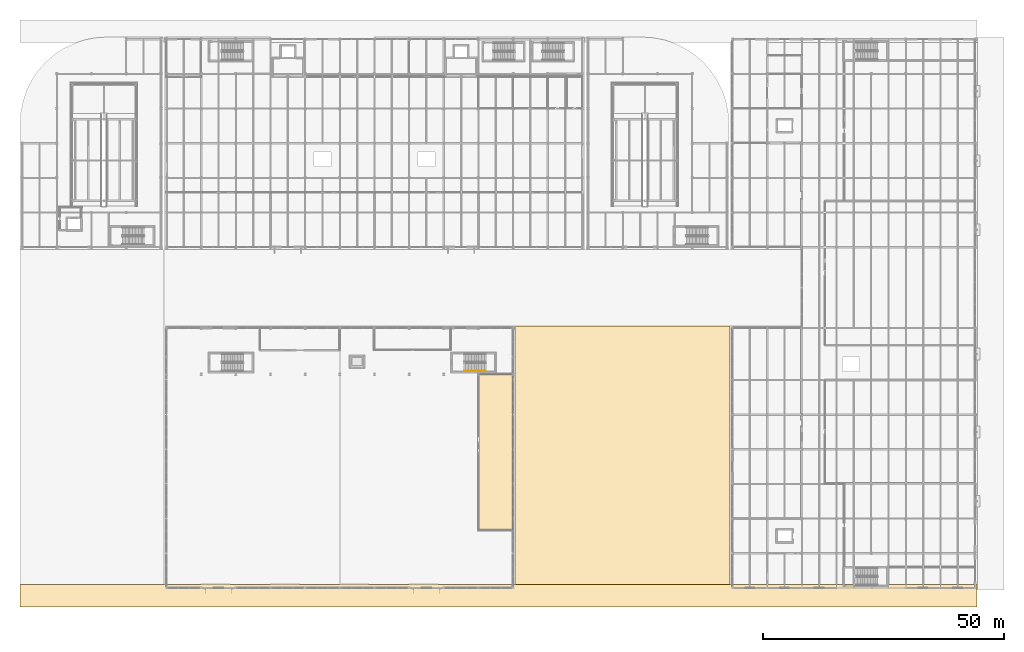
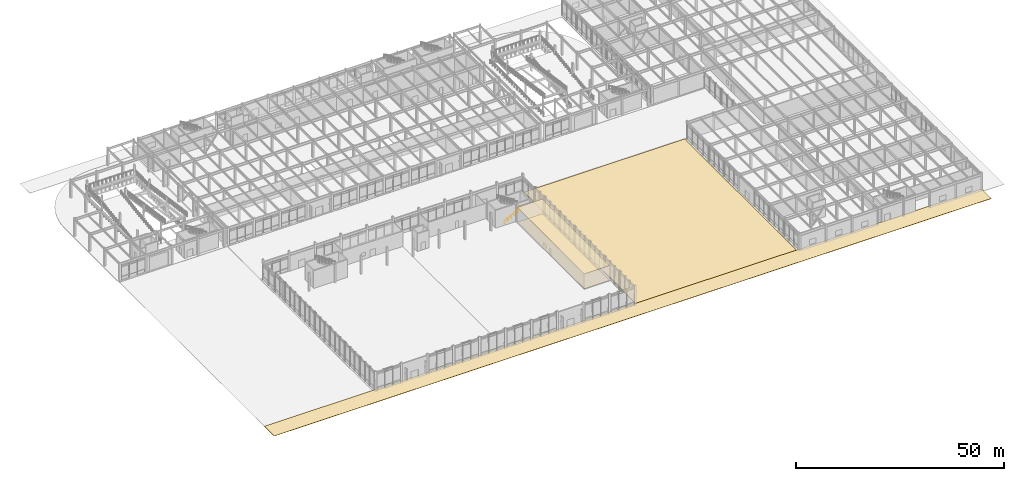
# One storey, part 87 of 104: 4 coverings, 1 railing.
"""IFC4 building model written with IfcOpenShell, lengths in metres."""

from ifc_helpers import new_model, si_unit, direction, frame, origin, origin_2d, place, context, subcontext, project, spatial, polyline, circle, outline, extrude, material, layer, layer_set, type_object, element, save


model = new_model("IFC4")

# Units and contexts
model_context = context("Model", 3, precision=1e-05, world=origin(), true_north=direction((0.0, 1.0)))
body_context = subcontext(model_context, "Body", "Model", "MODEL_VIEW")
ifc_project = project(units=[si_unit("LENGTHUNIT", "METRE"), si_unit("AREAUNIT", "SQUARE_METRE"), si_unit("VOLUMEUNIT", "CUBIC_METRE"), si_unit("PLANEANGLEUNIT", "RADIAN"), si_unit("MASSUNIT", "GRAM", prefix="KILO")], contexts=[model_context])

# Site, building, storey
site_placement = place(None, origin())
site = spatial("IfcSite", under=ifc_project, at=site_placement, CompositionType="ELEMENT")
building_placement = place(site_placement, origin())
building = spatial("IfcBuilding", under=site, at=building_placement, Name="Vaelcorin Mobility Hub", CompositionType="ELEMENT")
storey_placement = place(building_placement, origin())
storey = spatial("IfcBuildingStorey", under=building, at=storey_placement, Name="L00", CompositionType="ELEMENT", Elevation=0.0)

# Coverings
ifc_material_1 = material(Name="Perforated acoustic mineral-fibre ceiling tile")
ifc_layer_1 = layer(ifc_material_1, 0.0380859375)
ifc_layer_set_1 = layer_set([ifc_layer_1], Name="Perforated acoustic mineral-fibre ceiling tile")
covering_type_1 = type_object("IfcCoveringType", Name="COV-CEIL-4", PredefinedType="CEILING", material=ifc_layer_set_1)
covering_1_placement = place(storey_placement, frame((0.0, 0.0, 4.326904296875)))
element("IfcCovering", 1, at=covering_1_placement, inside=storey, type_object=covering_type_1, Name="Left-Luggage and Parcel Desk Acoustic Ceiling", PredefinedType="CEILING", context=body_context, shape_type="SweptSolid", body=[
    extrude(outline(polyline([(100.93994140625, 18.080078125), (100.93408203125, 18.080078125), (100.927978515625, 18.0810546875), (100.923095703125, 18.0830078125), (100.9169921875, 18.0849609375), (100.912109375, 18.0869140625), (100.906982421875, 18.090087890625), (100.902099609375, 18.093994140625), (100.89794921875, 18.097900390625), (100.89404296875, 18.10205078125), (100.889892578125, 18.10693359375), (100.886962890625, 18.112060546875), (100.885009765625, 18.116943359375), (100.883056640625, 18.123046875), (100.881103515625, 18.1279296875), (100.8798828125, 18.134033203125), (100.8798828125, 18.139892578125), (100.8798828125, 50.260009765625), (100.8798828125, 50.26611328125), (100.881103515625, 50.27197265625), (100.883056640625, 50.277099609375), (100.885009765625, 50.282958984375), (100.886962890625, 50.2880859375), (100.889892578125, 50.29296875), (100.89404296875, 50.298095703125), (100.89794921875, 50.302001953125), (100.902099609375, 50.305908203125), (100.906982421875, 50.31005859375), (100.912109375, 50.31298828125), (100.9169921875, 50.31494140625), (100.923095703125, 50.31689453125), (100.927978515625, 50.319091796875), (100.93408203125, 50.320068359375), (100.93994140625, 50.320068359375), (107.800048828125, 50.320068359375), (107.805908203125, 50.320068359375), (107.81201171875, 50.319091796875), (107.81689453125, 50.31689453125), (107.822998046875, 50.31494140625), (107.827880859375, 50.31298828125), (107.8330078125, 50.31005859375), (107.837890625, 50.305908203125), (107.842041015625, 50.302001953125), (107.845947265625, 50.298095703125), (107.85009765625, 50.29296875), (107.85302734375, 50.2880859375), (107.85498046875, 50.282958984375), (107.85693359375, 50.277099609375), (107.85888671875, 50.27197265625), (107.860107421875, 50.26611328125), (107.860107421875, 50.260009765625), (107.860107421875, 18.139892578125), (107.860107421875, 18.134033203125), (107.85888671875, 18.1279296875), (107.85693359375, 18.123046875), (107.85498046875, 18.116943359375), (107.85302734375, 18.112060546875), (107.85009765625, 18.10693359375), (107.845947265625, 18.10205078125), (107.842041015625, 18.097900390625), (107.837890625, 18.093994140625), (107.8330078125, 18.090087890625), (107.827880859375, 18.0869140625), (107.822998046875, 18.0849609375), (107.81689453125, 18.0830078125), (107.81201171875, 18.0810546875), (107.805908203125, 18.080078125), (107.800048828125, 18.080078125), (100.93994140625, 18.080078125)])), origin(), (0.0, 0.0, 1.0), 0.0380859375),
])
ifc_material_2 = material(Name="Polished epoxy-terrazzo concourse flooring")
ifc_layer_2 = layer(ifc_material_2, 0.02587890625)
ifc_layer_set_2 = layer_set([ifc_layer_2], Name="Polished epoxy-terrazzo concourse flooring")
covering_type_2 = type_object("IfcCoveringType", Name="COV-FLR-2", PredefinedType="FLOORING", material=ifc_layer_set_2)
covering_2_placement = place(storey_placement, origin())
element("IfcCovering", 2, at=covering_2_placement, inside=storey, type_object=covering_type_2, Name="Left-Luggage and Parcel Desk Finish Flooring", PredefinedType="FLOORING", context=body_context, shape_type="SweptSolid", body=[
    extrude(outline(polyline([(100.93994140625, 18.080078125), (100.93408203125, 18.080078125), (100.927978515625, 18.0810546875), (100.923095703125, 18.0830078125), (100.9169921875, 18.0849609375), (100.912109375, 18.0869140625), (100.906982421875, 18.090087890625), (100.902099609375, 18.093994140625), (100.89794921875, 18.097900390625), (100.89404296875, 18.10205078125), (100.889892578125, 18.10693359375), (100.886962890625, 18.112060546875), (100.885009765625, 18.116943359375), (100.883056640625, 18.123046875), (100.881103515625, 18.1279296875), (100.8798828125, 18.134033203125), (100.8798828125, 18.139892578125), (100.8798828125, 50.260009765625), (100.8798828125, 50.26611328125), (100.881103515625, 50.27197265625), (100.883056640625, 50.277099609375), (100.885009765625, 50.282958984375), (100.886962890625, 50.2880859375), (100.889892578125, 50.29296875), (100.89404296875, 50.298095703125), (100.89794921875, 50.302001953125), (100.902099609375, 50.305908203125), (100.906982421875, 50.31005859375), (100.912109375, 50.31298828125), (100.9169921875, 50.31494140625), (100.923095703125, 50.31689453125), (100.927978515625, 50.319091796875), (100.93408203125, 50.320068359375), (100.93994140625, 50.320068359375), (107.800048828125, 50.320068359375), (107.805908203125, 50.320068359375), (107.81201171875, 50.319091796875), (107.81689453125, 50.31689453125), (107.822998046875, 50.31494140625), (107.827880859375, 50.31298828125), (107.8330078125, 50.31005859375), (107.837890625, 50.305908203125), (107.842041015625, 50.302001953125), (107.845947265625, 50.298095703125), (107.85009765625, 50.29296875), (107.85302734375, 50.2880859375), (107.85498046875, 50.282958984375), (107.85693359375, 50.277099609375), (107.85888671875, 50.27197265625), (107.860107421875, 50.26611328125), (107.860107421875, 50.260009765625), (107.860107421875, 18.139892578125), (107.860107421875, 18.134033203125), (107.85888671875, 18.1279296875), (107.85693359375, 18.123046875), (107.85498046875, 18.116943359375), (107.85302734375, 18.112060546875), (107.85009765625, 18.10693359375), (107.845947265625, 18.10205078125), (107.842041015625, 18.097900390625), (107.837890625, 18.093994140625), (107.8330078125, 18.090087890625), (107.827880859375, 18.0869140625), (107.822998046875, 18.0849609375), (107.81689453125, 18.0830078125), (107.81201171875, 18.0810546875), (107.805908203125, 18.080078125), (107.800048828125, 18.080078125), (100.93994140625, 18.080078125)])), origin(), (0.0, 0.0, 1.0), 0.02587890625),
])
ifc_material_3 = material(Name="Permeable granite plaza paving", Category="masonry")
ifc_layer_3 = layer(ifc_material_3, 0.080078125)
ifc_layer_set_3 = layer_set([ifc_layer_3], Name="Permeable granite plaza paving")
covering_type_3 = type_object("IfcCoveringType", Name="COV-PAVE-80", PredefinedType="USERDEFINED", material=ifc_layer_set_3)
covering_3_placement = place(storey_placement, frame((0.0, 0.0, -0.080078125)))
element("IfcCovering", 3, at=covering_3_placement, inside=storey, type_object=covering_type_3, Name="South-East Taxi Drop-Off Plaza", ObjectType="SITE PAVING", PredefinedType="USERDEFINED", context=body_context, shape_type="SweptSolid", body=[
    extrude(outline(polyline([(108.5, 5.60009765625), (153.10009765625, 5.60009765625), (153.10009765625, 60.39990234375), (108.5, 60.39990234375), (108.5, 5.60009765625)])), origin(), (0.0, 0.0, 1.0), 0.080078125),
])
covering_4_placement = place(storey_placement, frame((0.0, 0.0, -0.080078125)))
element("IfcCovering", 4, at=covering_4_placement, inside=storey, type_object=covering_type_3, Name="South Transit Boarding Walk", ObjectType="SITE PAVING", PredefinedType="USERDEFINED", context=body_context, shape_type="SweptSolid", body=[
    extrude(outline(polyline([(5.60009765625, 2.0), (204.39990234375, 2.0), (204.39990234375, 6.699951171875), (5.60009765625, 6.699951171875), (5.60009765625, 2.0)])), origin(), (0.0, 0.0, 1.0), 0.080078125),
])

# Railing
ifc_material_4 = material(Name="Brushed stainless steel 316L", Category="steel")
ifc_layer_4 = layer(ifc_material_4, 0.048095703125)
ifc_layer_set_4 = layer_set([ifc_layer_4], Name="Brushed stainless steel 316L")
railing_type = type_object("IfcRailingType", Name="RL-STAIR-HR", PredefinedType="HANDRAIL", material=ifc_layer_set_4)
railing_placement = place(storey_placement, frame((97.85009765625, 51.050048828125, 0.168701171875)))
element("IfcRailing", 5, at=railing_placement, inside=storey, type_object=railing_type, Name="L00 ST8 stair handrail 1", PredefinedType="HANDRAIL", context=body_context, shape_type="SweptSolid", body=[
    extrude(circle(Radius=0.02392578125, at=origin_2d()), frame((0.0, 0.0, 0.8759765625), z_axis=(0.871575537125, 0.0, 0.490261239633), x_axis=(0.0, 1.0, 0.0)), (0.0, 0.0, 1.0), 5.1630859375),
    extrude(circle(Radius=0.02099609375, at=origin_2d()), origin(), (0.0, 0.0, 1.0), 0.851806640625),
    extrude(circle(Radius=0.02099609375, at=origin_2d()), frame((0.89990234375, 0.0, 0.50634765625)), (0.0, 0.0, 1.0), 0.851806640625),
    extrude(circle(Radius=0.02099609375, at=origin_2d()), frame((1.800048828125, 0.0, 1.012451171875)), (0.0, 0.0, 1.0), 0.851806640625),
    extrude(circle(Radius=0.02099609375, at=origin_2d()), frame((2.699951171875, 0.0, 1.518798828125)), (0.0, 0.0, 1.0), 0.851806640625),
    extrude(circle(Radius=0.02099609375, at=origin_2d()), frame((3.60009765625, 0.0, 2.02490234375)), (0.0, 0.0, 1.0), 0.851806640625),
    extrude(circle(Radius=0.02099609375, at=origin_2d()), frame((4.5, 0.0, 2.53125)), (0.0, 0.0, 1.0), 0.851806640625),
])

save(model, "model.ifc")
